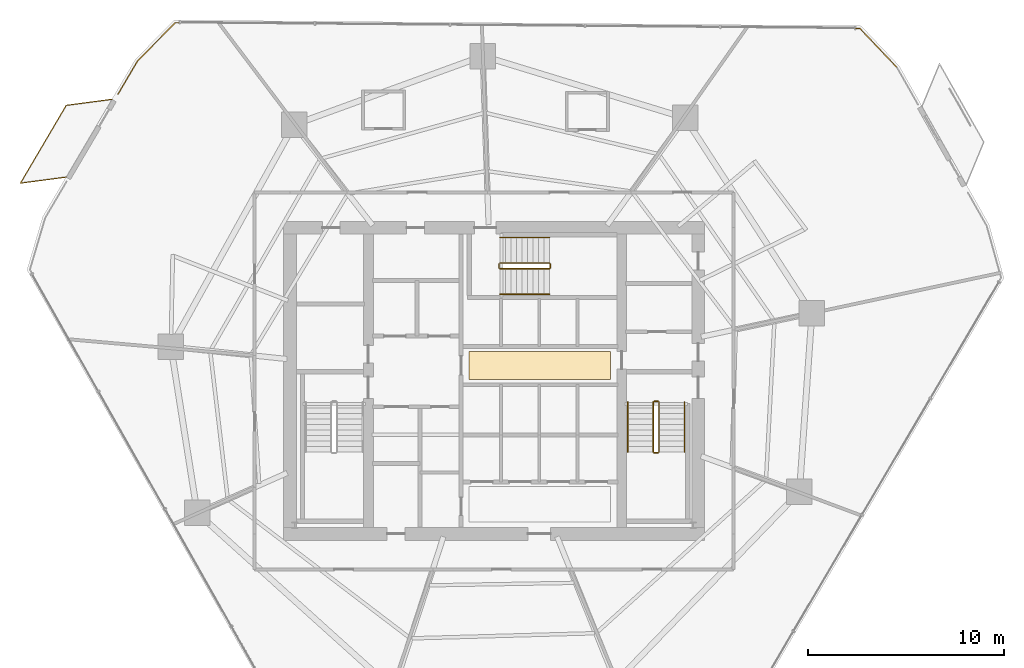
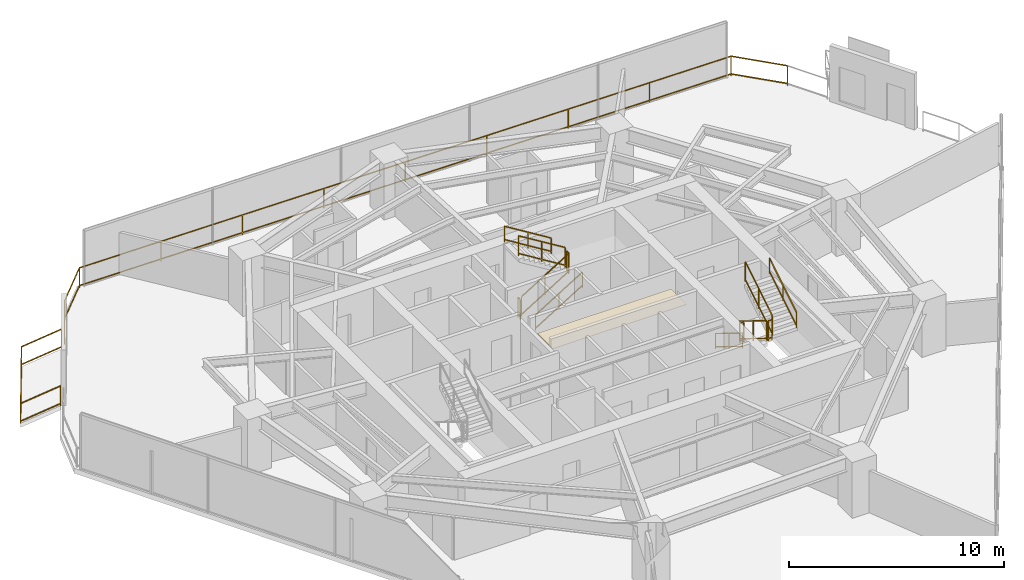
# One storey, part 30 of 31: 14 railings, 1 covering.
"""IFC4 building model written with IfcOpenShell, lengths in metres."""

from ifc_helpers import new_model, si_unit, direction, frame, origin, origin_2d, place, context, subcontext, project, spatial, rectangle, extrude, material, layer, layer_set, type_object, element, save


model = new_model("IFC4")

# Units and contexts
model_context = context("Model", 3, precision=1e-05, world=origin(), true_north=direction((0.0, 1.0)))
body_context = subcontext(model_context, "Body", "Model", "MODEL_VIEW")
ifc_project = project(units=[si_unit("LENGTHUNIT", "METRE"), si_unit("AREAUNIT", "SQUARE_METRE"), si_unit("VOLUMEUNIT", "CUBIC_METRE"), si_unit("PLANEANGLEUNIT", "RADIAN"), si_unit("MASSUNIT", "GRAM", prefix="KILO")], contexts=[model_context])

# Site, building, storey
site_placement = place(None, origin())
site = spatial("IfcSite", under=ifc_project, at=site_placement, CompositionType="ELEMENT")
building_placement = place(site_placement, origin())
building = spatial("IfcBuilding", under=site, at=building_placement, Name="Qarnah Convention Tower", CompositionType="ELEMENT")
storey_placement = place(building_placement, frame((0.0, 0.0, 64.949951171875)))
storey = spatial("IfcBuildingStorey", under=building, at=storey_placement, Name="L16", CompositionType="ELEMENT", Elevation=64.949951171875)

# Covering
ifc_material_1 = material(Name="Mineral fibre acoustic ceiling")
ifc_layer = layer(ifc_material_1, 0.02001953125)
ifc_layer_set = layer_set([ifc_layer], Name="Mineral fibre acoustic ceiling")
covering_type = type_object("IfcCoveringType", Name="COV-CEIL-20", PredefinedType="CEILING", material=ifc_layer_set)
covering_placement = place(storey_placement, frame((39.52001953125, 27.179931640625, 2.2900390625), z_axis=(0.0, 0.0, 1.0), x_axis=(1.0, 0.0, 0.0)))
element("IfcCovering", 1, at=covering_placement, inside=storey, type_object=covering_type, Name="L16 lift lobby acoustic ceiling", PredefinedType="CEILING", context=body_context, shape_type="SweptSolid", body=[
    extrude(rectangle(XDim=7.199951171875, YDim=1.449951171875, at=origin_2d()), origin(), (0.0, 0.0, 1.0), 0.02001953125),
])

# Railings
ifc_material_2 = material(Name="Black anodised aluminium", Category="aluminium")
railing_type_1 = type_object("IfcRailingType", Name="RL-EXT-GUARD-1150", PredefinedType="GUARDRAIL", material=ifc_material_2)
railing_1_placement = place(storey_placement, frame((18.0458984375, 41.0009765625, 0.0)))
element("IfcRailing", 2, at=railing_1_placement, inside=storey, type_object=railing_type_1, Name="L16 slab-edge perimeter safety guard 03", PredefinedType="GUARDRAIL", context=body_context, shape_type="SweptSolid", body=[
    extrude(rectangle(XDim=0.048095703125, YDim=0.048095703125, at=origin_2d()), frame((0.0, 0.0, 1.1259765625), z_axis=(0.507244909747, 0.861801950297, 0.0), x_axis=(-0.861801950297, 0.507244909747, 0.0)), (0.0, 0.0, 1.0), 1.946044921875),
    extrude(rectangle(XDim=0.048095703125, YDim=0.048095703125, at=origin_2d()), frame((0.0, 0.0, 0.1201171875), z_axis=(0.507244909747, 0.861801950297, 0.0), x_axis=(-0.861801950297, 0.507244909747, 0.0)), (0.0, 0.0, 1.0), 1.946044921875),
    extrude(rectangle(XDim=0.048095703125, YDim=0.048095703125, at=origin_2d()), frame((0.987060546875, 1.677001953125, 1.1259765625), z_axis=(0.700539854994, 0.713613278719, 0.0), x_axis=(-0.713613278719, 0.700539854994, 0.0)), (0.0, 0.0, 1.0), 2.7451171875),
    extrude(rectangle(XDim=0.048095703125, YDim=0.048095703125, at=origin_2d()), frame((0.987060546875, 1.677001953125, 0.1201171875), z_axis=(0.700539854994, 0.713613278719, 0.0), x_axis=(-0.713613278719, 0.700539854994, 0.0)), (0.0, 0.0, 1.0), 2.7451171875),
    extrude(rectangle(XDim=0.048095703125, YDim=0.048095703125, at=origin_2d()), frame((2.91015625, 3.635986328125, 1.1259765625), z_axis=(0.999964956089, -0.008371773587, 0.0), x_axis=(0.008371773587, 0.999964956089, 0.0)), (0.0, 0.0, 1.0), 34.878173828125),
    extrude(rectangle(XDim=0.048095703125, YDim=0.048095703125, at=origin_2d()), frame((2.91015625, 3.635986328125, 0.1201171875), z_axis=(0.999964956089, -0.008371773587, 0.0), x_axis=(0.008371773587, 0.999964956089, 0.0)), (0.0, 0.0, 1.0), 34.878173828125),
    extrude(rectangle(XDim=0.048095703125, YDim=0.048095703125, at=origin_2d()), frame((37.787109375, 3.343994140625, 1.1259765625), z_axis=(0.688691043615, -0.725054926502, 0.0), x_axis=(0.725054926502, 0.688691043615, 0.0)), (0.0, 0.0, 1.0), 2.745849609375),
    extrude(rectangle(XDim=0.048095703125, YDim=0.048095703125, at=origin_2d()), frame((37.787109375, 3.343994140625, 0.1201171875), z_axis=(0.688691043615, -0.725054926502, 0.0), x_axis=(0.725054926502, 0.688691043615, 0.0)), (0.0, 0.0, 1.0), 2.745849609375),
    extrude(rectangle(XDim=0.0419921875, YDim=0.0419921875, at=origin_2d()), origin(), (0.0, 0.0, 1.0), 1.101806640625),
    extrude(rectangle(XDim=0.0419921875, YDim=0.0419921875, at=origin_2d()), frame((0.987060546875, 1.677001953125, 0.0)), (0.0, 0.0, 1.0), 1.101806640625),
    extrude(rectangle(XDim=0.0419921875, YDim=0.0419921875, at=origin_2d()), frame((2.91015625, 3.635986328125, 0.0)), (0.0, 0.0, 1.0), 1.101806640625),
    extrude(rectangle(XDim=0.0419921875, YDim=0.0419921875, at=origin_2d()), frame((7.269775390625, 3.599609375, 0.0)), (0.0, 0.0, 1.0), 1.101806640625),
    extrude(rectangle(XDim=0.0419921875, YDim=0.0419921875, at=origin_2d()), frame((11.62939453125, 3.56298828125, 0.0)), (0.0, 0.0, 1.0), 1.101806640625),
    extrude(rectangle(XDim=0.0419921875, YDim=0.0419921875, at=origin_2d()), frame((15.989013671875, 3.5263671875, 0.0)), (0.0, 0.0, 1.0), 1.101806640625),
    extrude(rectangle(XDim=0.0419921875, YDim=0.0419921875, at=origin_2d()), frame((20.3486328125, 3.489990234375, 0.0)), (0.0, 0.0, 1.0), 1.101806640625),
    extrude(rectangle(XDim=0.0419921875, YDim=0.0419921875, at=origin_2d()), frame((24.708251953125, 3.45361328125, 0.0)), (0.0, 0.0, 1.0), 1.101806640625),
    extrude(rectangle(XDim=0.0419921875, YDim=0.0419921875, at=origin_2d()), frame((29.06787109375, 3.4169921875, 0.0)), (0.0, 0.0, 1.0), 1.101806640625),
    extrude(rectangle(XDim=0.0419921875, YDim=0.0419921875, at=origin_2d()), frame((33.427490234375, 3.38037109375, 0.0)), (0.0, 0.0, 1.0), 1.101806640625),
    extrude(rectangle(XDim=0.0419921875, YDim=0.0419921875, at=origin_2d()), frame((37.787109375, 3.343994140625, 0.0)), (0.0, 0.0, 1.0), 1.101806640625),
    extrude(rectangle(XDim=0.0419921875, YDim=0.0419921875, at=origin_2d()), frame((39.67822265625, 1.35302734375, 0.0)), (0.0, 0.0, 1.0), 1.101806640625),
])
railing_2_placement = place(storey_placement, frame((15.40087890625, 36.77294921875, 0.0)))
element("IfcRailing", 3, at=railing_2_placement, inside=storey, type_object=railing_type_1, Name="L16 balcony safety guard BAL-L16-C2", PredefinedType="GUARDRAIL", context=body_context, shape_type="SweptSolid", body=[
    extrude(rectangle(XDim=0.048095703125, YDim=0.048095703125, at=origin_2d()), frame((0.0, 0.0, 1.1259765625), z_axis=(-0.991414950949, -0.130753183647, 0.0), x_axis=(0.130753183647, -0.991414950949, 0.0)), (0.0, 0.0, 1.0), 2.34716796875),
    extrude(rectangle(XDim=0.048095703125, YDim=0.048095703125, at=origin_2d()), frame((0.0, 0.0, 0.1201171875), z_axis=(-0.991414950949, -0.130753183647, 0.0), x_axis=(0.130753183647, -0.991414950949, 0.0)), (0.0, 0.0, 1.0), 2.34716796875),
    extrude(rectangle(XDim=0.048095703125, YDim=0.048095703125, at=origin_2d()), frame((-2.326904296875, -0.306884765625, 1.1259765625), z_axis=(0.507140723739, 0.861863264286, 0.0), x_axis=(-0.861863264286, 0.507140723739, 0.0)), (0.0, 0.0, 1.0), 4.600341796875),
    extrude(rectangle(XDim=0.048095703125, YDim=0.048095703125, at=origin_2d()), frame((-2.326904296875, -0.306884765625, 0.1201171875), z_axis=(0.507140723739, 0.861863264286, 0.0), x_axis=(-0.861863264286, 0.507140723739, 0.0)), (0.0, 0.0, 1.0), 4.600341796875),
    extrude(rectangle(XDim=0.048095703125, YDim=0.048095703125, at=origin_2d()), frame((0.006103515625, 3.657958984375, 1.1259765625), z_axis=(0.99141036042, 0.130787985886, 0.0), x_axis=(-0.130787985886, 0.99141036042, 0.0)), (0.0, 0.0, 1.0), 2.348388671875),
    extrude(rectangle(XDim=0.048095703125, YDim=0.048095703125, at=origin_2d()), frame((0.006103515625, 3.657958984375, 0.1201171875), z_axis=(0.99141036042, 0.130787985886, 0.0), x_axis=(-0.130787985886, 0.99141036042, 0.0)), (0.0, 0.0, 1.0), 2.348388671875),
    extrude(rectangle(XDim=0.0419921875, YDim=0.0419921875, at=origin_2d()), origin(), (0.0, 0.0, 1.0), 1.101806640625),
    extrude(rectangle(XDim=0.0419921875, YDim=0.0419921875, at=origin_2d()), frame((-2.326904296875, -0.306884765625, 0.0)), (0.0, 0.0, 1.0), 1.101806640625),
    extrude(rectangle(XDim=0.0419921875, YDim=0.0419921875, at=origin_2d()), frame((-1.160400390625, 1.675537109375, 0.0)), (0.0, 0.0, 1.0), 1.101806640625),
    extrude(rectangle(XDim=0.0419921875, YDim=0.0419921875, at=origin_2d()), frame((0.006103515625, 3.657958984375, 0.0)), (0.0, 0.0, 1.0), 1.101806640625),
    extrude(rectangle(XDim=0.0419921875, YDim=0.0419921875, at=origin_2d()), frame((2.334228515625, 3.965087890625, 0.0)), (0.0, 0.0, 1.0), 1.101806640625),
])
ifc_material_3 = material(Name="Structural steel S355JR", Category="steel")
railing_type_2 = type_object("IfcRailingType", Name="RL-STAIR-GUARD-1150", PredefinedType="GUARDRAIL", material=ifc_material_3)
railing_3_placement = place(storey_placement, frame((45.300048828125, 25.300048828125, 0.172607421875)))
element("IfcRailing", 4, at=railing_3_placement, inside=storey, type_object=railing_type_2, Name="L16 ST-2 stair guard 1", PredefinedType="GUARDRAIL", context=body_context, shape_type="SweptSolid", body=[
    extrude(rectangle(XDim=0.048095703125, YDim=0.048095703125, at=origin_2d()), frame((0.0, 0.0, 1.1259765625), z_axis=(0.0, -0.851400495292, 0.524516154772), x_axis=(1.0, 0.0, 0.0)), (0.0, 0.0, 1.0), 2.9599609375),
    extrude(rectangle(XDim=0.048095703125, YDim=0.048095703125, at=origin_2d()), frame((0.0, 0.0, 0.1201171875), z_axis=(0.0, -0.851400495292, 0.524516154772), x_axis=(1.0, 0.0, 0.0)), (0.0, 0.0, 1.0), 2.9599609375),
    extrude(rectangle(XDim=0.0419921875, YDim=0.0419921875, at=origin_2d()), origin(), (0.0, 0.0, 1.0), 1.101806640625),
    extrude(rectangle(XDim=0.0419921875, YDim=0.0419921875, at=origin_2d()), frame((0.0, -1.260009765625, 0.7763671875)), (0.0, 0.0, 1.0), 1.101806640625),
    extrude(rectangle(XDim=0.0419921875, YDim=0.0419921875, at=origin_2d()), frame((0.0, -2.52001953125, 1.552490234375)), (0.0, 0.0, 1.0), 1.101806640625),
])
railing_4_placement = place(storey_placement, frame((45.35009765625, 22.72998046875, 1.72509765625)))
element("IfcRailing", 5, at=railing_4_placement, inside=storey, type_object=railing_type_2, Name="L16 ST-2 stair guard 2", PredefinedType="GUARDRAIL", context=body_context, shape_type="SweptSolid", body=[
    extrude(rectangle(XDim=0.048095703125, YDim=0.048095703125, at=origin_2d()), frame((0.0, 0.0, 1.1259765625), z_axis=(1.0, 0.0, 0.0), x_axis=(0.0, 1.0, 0.0)), (0.0, 0.0, 1.0), 0.199951171875),
    extrude(rectangle(XDim=0.048095703125, YDim=0.048095703125, at=origin_2d()), frame((0.0, 0.0, 0.1201171875), z_axis=(1.0, 0.0, 0.0), x_axis=(0.0, 1.0, 0.0)), (0.0, 0.0, 1.0), 0.199951171875),
    extrude(rectangle(XDim=0.0419921875, YDim=0.0419921875, at=origin_2d()), origin(), (0.0, 0.0, 1.0), 1.101806640625),
    extrude(rectangle(XDim=0.0419921875, YDim=0.0419921875, at=origin_2d()), frame((0.199951171875, 0.0, 0.0)), (0.0, 0.0, 1.0), 1.101806640625),
])
railing_5_placement = place(storey_placement, frame((45.60009765625, 22.780029296875, 1.8974609375)))
element("IfcRailing", 6, at=railing_5_placement, inside=storey, type_object=railing_type_2, Name="L16 ST-2 stair guard 3", PredefinedType="GUARDRAIL", context=body_context, shape_type="SweptSolid", body=[
    extrude(rectangle(XDim=0.048095703125, YDim=0.048095703125, at=origin_2d()), frame((0.0, 0.0, 1.1259765625), z_axis=(0.0, 0.851400495292, 0.524516154772), x_axis=(-1.0, 0.0, 0.0)), (0.0, 0.0, 1.0), 2.9599609375),
    extrude(rectangle(XDim=0.048095703125, YDim=0.048095703125, at=origin_2d()), frame((0.0, 0.0, 0.1201171875), z_axis=(0.0, 0.851400495292, 0.524516154772), x_axis=(-1.0, 0.0, 0.0)), (0.0, 0.0, 1.0), 2.9599609375),
    extrude(rectangle(XDim=0.0419921875, YDim=0.0419921875, at=origin_2d()), origin(), (0.0, 0.0, 1.0), 1.101806640625),
    extrude(rectangle(XDim=0.0419921875, YDim=0.0419921875, at=origin_2d()), frame((0.0, 1.260009765625, 0.7763671875)), (0.0, 0.0, 1.0), 1.101806640625),
    extrude(rectangle(XDim=0.0419921875, YDim=0.0419921875, at=origin_2d()), frame((0.0, 2.52001953125, 1.552490234375)), (0.0, 0.0, 1.0), 1.101806640625),
])
railing_6_placement = place(storey_placement, frame((45.35009765625, 25.35009765625, 0.0)))
element("IfcRailing", 7, at=railing_6_placement, inside=storey, type_object=railing_type_2, Name="L16 ST-2 stair guard 4", PredefinedType="GUARDRAIL", context=body_context, shape_type="SweptSolid", body=[
    extrude(rectangle(XDim=0.048095703125, YDim=0.048095703125, at=origin_2d()), frame((0.0, 0.0, 1.1259765625), z_axis=(1.0, 0.0, 0.0), x_axis=(0.0, 1.0, 0.0)), (0.0, 0.0, 1.0), 0.199951171875),
    extrude(rectangle(XDim=0.048095703125, YDim=0.048095703125, at=origin_2d()), frame((0.0, 0.0, 0.1201171875), z_axis=(1.0, 0.0, 0.0), x_axis=(0.0, 1.0, 0.0)), (0.0, 0.0, 1.0), 0.199951171875),
    extrude(rectangle(XDim=0.0419921875, YDim=0.0419921875, at=origin_2d()), origin(), (0.0, 0.0, 1.0), 1.101806640625),
    extrude(rectangle(XDim=0.0419921875, YDim=0.0419921875, at=origin_2d()), frame((0.199951171875, 0.0, 0.0)), (0.0, 0.0, 1.0), 1.101806640625),
])
railing_7_placement = place(storey_placement, frame((37.5, 32.10009765625, 0.172607421875)))
element("IfcRailing", 8, at=railing_7_placement, inside=storey, type_object=railing_type_2, Name="L16 ST-3 stair guard 1", PredefinedType="GUARDRAIL", context=body_context, shape_type="SweptSolid", body=[
    extrude(rectangle(XDim=0.048095703125, YDim=0.048095703125, at=origin_2d()), frame((0.0, 0.0, 1.1259765625), z_axis=(0.851400495292, 0.0, 0.524516154772), x_axis=(0.0, 1.0, 0.0)), (0.0, 0.0, 1.0), 2.9599609375),
    extrude(rectangle(XDim=0.048095703125, YDim=0.048095703125, at=origin_2d()), frame((0.0, 0.0, 0.1201171875), z_axis=(0.851400495292, 0.0, 0.524516154772), x_axis=(0.0, 1.0, 0.0)), (0.0, 0.0, 1.0), 2.9599609375),
    extrude(rectangle(XDim=0.0419921875, YDim=0.0419921875, at=origin_2d()), origin(), (0.0, 0.0, 1.0), 1.101806640625),
    extrude(rectangle(XDim=0.0419921875, YDim=0.0419921875, at=origin_2d()), frame((1.260009765625, 0.0, 0.7763671875)), (0.0, 0.0, 1.0), 1.101806640625),
    extrude(rectangle(XDim=0.0419921875, YDim=0.0419921875, at=origin_2d()), frame((2.52001953125, 0.0, 1.552490234375)), (0.0, 0.0, 1.0), 1.101806640625),
])
railing_8_placement = place(storey_placement, frame((40.070068359375, 32.14990234375, 1.72509765625)))
element("IfcRailing", 9, at=railing_8_placement, inside=storey, type_object=railing_type_2, Name="L16 ST-3 stair guard 2", PredefinedType="GUARDRAIL", context=body_context, shape_type="SweptSolid", body=[
    extrude(rectangle(XDim=0.048095703125, YDim=0.048095703125, at=origin_2d()), frame((0.0, 0.0, 1.1259765625), z_axis=(0.0, 1.0, 0.0), x_axis=(-1.0, 0.0, 0.0)), (0.0, 0.0, 1.0), 0.2001953125),
    extrude(rectangle(XDim=0.048095703125, YDim=0.048095703125, at=origin_2d()), frame((0.0, 0.0, 0.1201171875), z_axis=(0.0, 1.0, 0.0), x_axis=(-1.0, 0.0, 0.0)), (0.0, 0.0, 1.0), 0.2001953125),
    extrude(rectangle(XDim=0.0419921875, YDim=0.0419921875, at=origin_2d()), origin(), (0.0, 0.0, 1.0), 1.101806640625),
    extrude(rectangle(XDim=0.0419921875, YDim=0.0419921875, at=origin_2d()), frame((0.0, 0.2001953125, 0.0)), (0.0, 0.0, 1.0), 1.101806640625),
])
railing_9_placement = place(storey_placement, frame((40.02001953125, 32.39990234375, 1.8974609375)))
element("IfcRailing", 10, at=railing_9_placement, inside=storey, type_object=railing_type_2, Name="L16 ST-3 stair guard 3", PredefinedType="GUARDRAIL", context=body_context, shape_type="SweptSolid", body=[
    extrude(rectangle(XDim=0.048095703125, YDim=0.048095703125, at=origin_2d()), frame((0.0, 0.0, 1.1259765625), z_axis=(-0.851400495292, 0.0, 0.524516154772), x_axis=(0.0, -1.0, 0.0)), (0.0, 0.0, 1.0), 2.9599609375),
    extrude(rectangle(XDim=0.048095703125, YDim=0.048095703125, at=origin_2d()), frame((0.0, 0.0, 0.1201171875), z_axis=(-0.851400495292, 0.0, 0.524516154772), x_axis=(0.0, -1.0, 0.0)), (0.0, 0.0, 1.0), 2.9599609375),
    extrude(rectangle(XDim=0.0419921875, YDim=0.0419921875, at=origin_2d()), origin(), (0.0, 0.0, 1.0), 1.101806640625),
    extrude(rectangle(XDim=0.0419921875, YDim=0.0419921875, at=origin_2d()), frame((-1.260009765625, 0.0, 0.7763671875)), (0.0, 0.0, 1.0), 1.101806640625),
    extrude(rectangle(XDim=0.0419921875, YDim=0.0419921875, at=origin_2d()), frame((-2.52001953125, 0.0, 1.552490234375)), (0.0, 0.0, 1.0), 1.101806640625),
])
railing_10_placement = place(storey_placement, frame((37.449951171875, 32.14990234375, 0.0)))
element("IfcRailing", 11, at=railing_10_placement, inside=storey, type_object=railing_type_2, Name="L16 ST-3 stair guard 4", PredefinedType="GUARDRAIL", context=body_context, shape_type="SweptSolid", body=[
    extrude(rectangle(XDim=0.048095703125, YDim=0.048095703125, at=origin_2d()), frame((0.0, 0.0, 1.1259765625), z_axis=(0.0, 1.0, 0.0), x_axis=(-1.0, 0.0, 0.0)), (0.0, 0.0, 1.0), 0.2001953125),
    extrude(rectangle(XDim=0.048095703125, YDim=0.048095703125, at=origin_2d()), frame((0.0, 0.0, 0.1201171875), z_axis=(0.0, 1.0, 0.0), x_axis=(-1.0, 0.0, 0.0)), (0.0, 0.0, 1.0), 0.2001953125),
    extrude(rectangle(XDim=0.0419921875, YDim=0.0419921875, at=origin_2d()), origin(), (0.0, 0.0, 1.0), 1.101806640625),
    extrude(rectangle(XDim=0.0419921875, YDim=0.0419921875, at=origin_2d()), frame((0.0, 0.2001953125, 0.0)), (0.0, 0.0, 1.0), 1.101806640625),
])
railing_type_3 = type_object("IfcRailingType", Name="RL-STAIR-HAND-900", PredefinedType="HANDRAIL", material=ifc_material_3)
railing_11_placement = place(storey_placement, frame((44.0, 25.300048828125, 0.172607421875)))
element("IfcRailing", 12, at=railing_11_placement, inside=storey, type_object=railing_type_3, Name="L16 ST-2 stair handrail 1", PredefinedType="HANDRAIL", context=body_context, shape_type="SweptSolid", body=[
    extrude(rectangle(XDim=0.048095703125, YDim=0.048095703125, at=origin_2d()), frame((0.0, 0.0, 0.8759765625), z_axis=(0.0, -0.851400495292, 0.524516154772), x_axis=(1.0, 0.0, 0.0)), (0.0, 0.0, 1.0), 2.9599609375),
    extrude(rectangle(XDim=0.048095703125, YDim=0.048095703125, at=origin_2d()), frame((0.0, 0.0, 0.1201171875), z_axis=(0.0, -0.851400495292, 0.524516154772), x_axis=(1.0, 0.0, 0.0)), (0.0, 0.0, 1.0), 2.9599609375),
    extrude(rectangle(XDim=0.0419921875, YDim=0.0419921875, at=origin_2d()), origin(), (0.0, 0.0, 1.0), 0.851806640625),
    extrude(rectangle(XDim=0.0419921875, YDim=0.0419921875, at=origin_2d()), frame((0.0, -1.260009765625, 0.7763671875)), (0.0, 0.0, 1.0), 0.851806640625),
    extrude(rectangle(XDim=0.0419921875, YDim=0.0419921875, at=origin_2d()), frame((0.0, -2.52001953125, 1.552490234375)), (0.0, 0.0, 1.0), 0.851806640625),
])
railing_12_placement = place(storey_placement, frame((46.89990234375, 22.780029296875, 1.8974609375)))
element("IfcRailing", 13, at=railing_12_placement, inside=storey, type_object=railing_type_3, Name="L16 ST-2 stair handrail 2", PredefinedType="HANDRAIL", context=body_context, shape_type="SweptSolid", body=[
    extrude(rectangle(XDim=0.048095703125, YDim=0.048095703125, at=origin_2d()), frame((0.0, 0.0, 0.8759765625), z_axis=(0.0, 0.851400495292, 0.524516154772), x_axis=(-1.0, 0.0, 0.0)), (0.0, 0.0, 1.0), 2.9599609375),
    extrude(rectangle(XDim=0.048095703125, YDim=0.048095703125, at=origin_2d()), frame((0.0, 0.0, 0.1201171875), z_axis=(0.0, 0.851400495292, 0.524516154772), x_axis=(-1.0, 0.0, 0.0)), (0.0, 0.0, 1.0), 2.9599609375),
    extrude(rectangle(XDim=0.0419921875, YDim=0.0419921875, at=origin_2d()), origin(), (0.0, 0.0, 1.0), 0.851806640625),
    extrude(rectangle(XDim=0.0419921875, YDim=0.0419921875, at=origin_2d()), frame((0.0, 1.260009765625, 0.7763671875)), (0.0, 0.0, 1.0), 0.851806640625),
    extrude(rectangle(XDim=0.0419921875, YDim=0.0419921875, at=origin_2d()), frame((0.0, 2.52001953125, 1.552490234375)), (0.0, 0.0, 1.0), 0.851806640625),
])
railing_13_placement = place(storey_placement, frame((37.5, 30.800048828125, 0.172607421875)))
element("IfcRailing", 14, at=railing_13_placement, inside=storey, type_object=railing_type_3, Name="L16 ST-3 stair handrail 1", PredefinedType="HANDRAIL", context=body_context, shape_type="SweptSolid", body=[
    extrude(rectangle(XDim=0.048095703125, YDim=0.048095703125, at=origin_2d()), frame((0.0, 0.0, 0.8759765625), z_axis=(0.851400495292, 0.0, 0.524516154772), x_axis=(0.0, 1.0, 0.0)), (0.0, 0.0, 1.0), 2.9599609375),
    extrude(rectangle(XDim=0.048095703125, YDim=0.048095703125, at=origin_2d()), frame((0.0, 0.0, 0.1201171875), z_axis=(0.851400495292, 0.0, 0.524516154772), x_axis=(0.0, 1.0, 0.0)), (0.0, 0.0, 1.0), 2.9599609375),
    extrude(rectangle(XDim=0.0419921875, YDim=0.0419921875, at=origin_2d()), origin(), (0.0, 0.0, 1.0), 0.851806640625),
    extrude(rectangle(XDim=0.0419921875, YDim=0.0419921875, at=origin_2d()), frame((1.260009765625, 0.0, 0.7763671875)), (0.0, 0.0, 1.0), 0.851806640625),
    extrude(rectangle(XDim=0.0419921875, YDim=0.0419921875, at=origin_2d()), frame((2.52001953125, 0.0, 1.552490234375)), (0.0, 0.0, 1.0), 0.851806640625),
])
railing_14_placement = place(storey_placement, frame((40.02001953125, 33.699951171875, 1.8974609375)))
element("IfcRailing", 15, at=railing_14_placement, inside=storey, type_object=railing_type_3, Name="L16 ST-3 stair handrail 2", PredefinedType="HANDRAIL", context=body_context, shape_type="SweptSolid", body=[
    extrude(rectangle(XDim=0.048095703125, YDim=0.048095703125, at=origin_2d()), frame((0.0, 0.0, 0.8759765625), z_axis=(-0.851400495292, 0.0, 0.524516154772), x_axis=(0.0, -1.0, 0.0)), (0.0, 0.0, 1.0), 2.9599609375),
    extrude(rectangle(XDim=0.048095703125, YDim=0.048095703125, at=origin_2d()), frame((0.0, 0.0, 0.1201171875), z_axis=(-0.851400495292, 0.0, 0.524516154772), x_axis=(0.0, -1.0, 0.0)), (0.0, 0.0, 1.0), 2.9599609375),
    extrude(rectangle(XDim=0.0419921875, YDim=0.0419921875, at=origin_2d()), origin(), (0.0, 0.0, 1.0), 0.851806640625),
    extrude(rectangle(XDim=0.0419921875, YDim=0.0419921875, at=origin_2d()), frame((-1.260009765625, 0.0, 0.7763671875)), (0.0, 0.0, 1.0), 0.851806640625),
    extrude(rectangle(XDim=0.0419921875, YDim=0.0419921875, at=origin_2d()), frame((-2.52001953125, 0.0, 1.552490234375)), (0.0, 0.0, 1.0), 0.851806640625),
])

save(model, "model.ifc")
